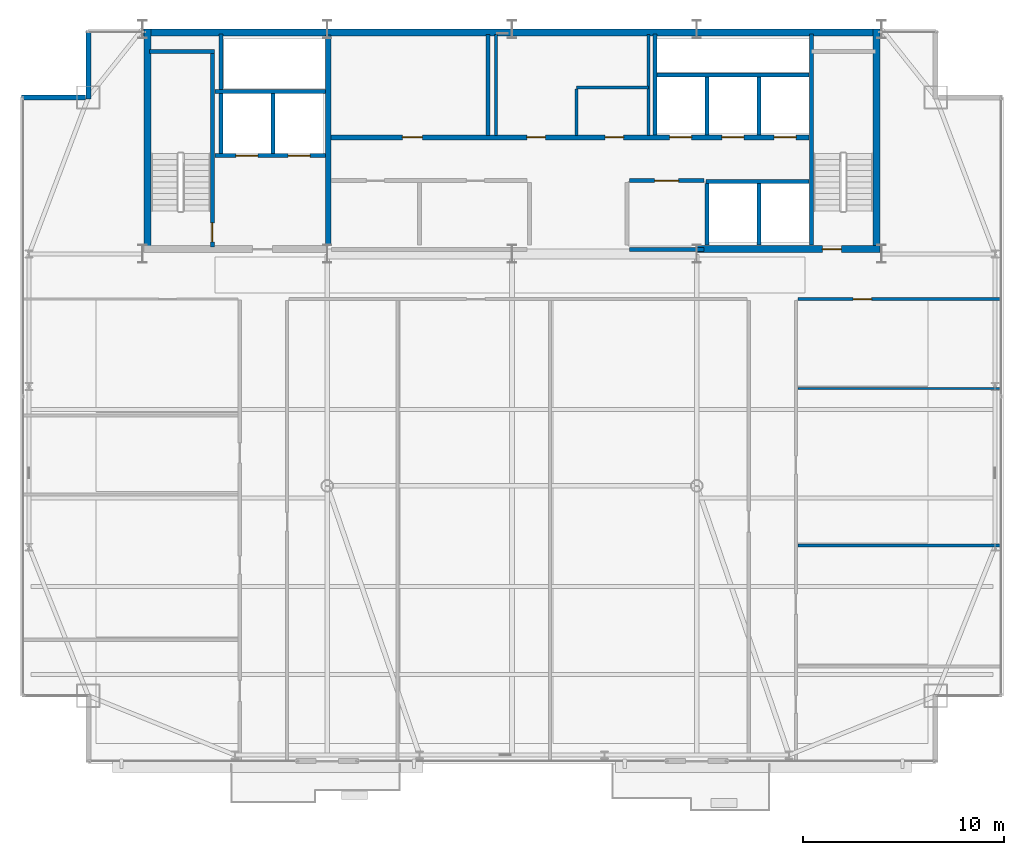
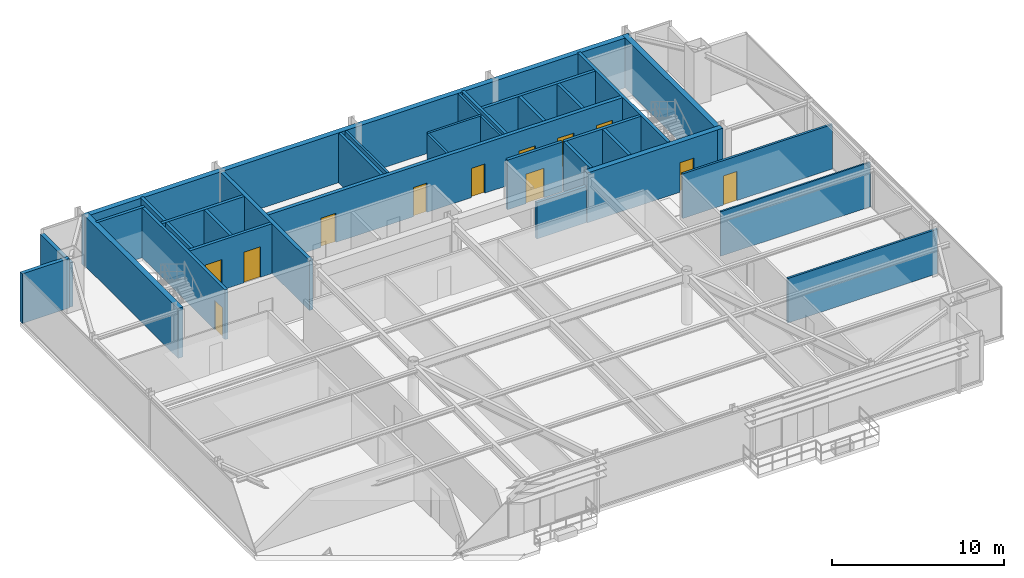
# One storey, part 27 of 30: 32 walls, 12 doors, 12 openings.
"""IFC4 building model written with IfcOpenShell, lengths in metres."""

import ifcopenshell
import ifcopenshell.guid

model = None  # the IFC model being written
_history = None  # IfcOwnerHistory: only IFC2X3 demands one
_inside = {}  # id of a spatial element -> (the spatial element, [elements in it])
_under = {}  # id of a project, library or spatial element -> (it, [spatial elements below it])
_declared = {}  # id of a project -> (the project, [libraries it declares])
_typed = {}  # id of a type object -> (the type object, [elements of that type])
_made_of = {}  # id of a material, layer set ... -> (it, [elements and type objects made of it])


def new_model(schema):
    """Start an empty IFC model of exactly this schema.

    Asked for "IFC4X3", IfcOpenShell would pick the latest addendum, in which some entities
    have other attributes; the version numbers below select the first issue.
    IFC2X3 requires an IfcOwnerHistory on every rooted entity: one is made here for all.
    """
    global model, _history
    if schema == "IFC4X3":
        model = ifcopenshell.file(schema_version=(4, 3, 0, 0))
    else:
        model = ifcopenshell.file(schema=schema)
    _inside.clear()
    _under.clear()
    _declared.clear()
    _typed.clear()
    _made_of.clear()
    _history = None
    if model.schema == "IFC2X3":
        org = make("IfcOrganization", Name="unknown")
        user = make(
            "IfcPersonAndOrganization",
            ThePerson=make("IfcPerson", FamilyName="unknown"),
            TheOrganization=org,
        )
        app = make(
            "IfcApplication",
            ApplicationDeveloper=org,
            Version="unknown",
            ApplicationFullName="unknown",
            ApplicationIdentifier="unknown",
        )
        _history = make(
            "IfcOwnerHistory",
            OwningUser=user,
            OwningApplication=app,
            ChangeAction="ADDED",
            CreationDate=0,
        )
    return model


def make(cls, **values):
    """One entity of the class cls with the attributes given. An attribute that is None is left unset."""
    return model.create_entity(
        cls, **{name: value for name, value in values.items() if value is not None}
    )


def rooted(cls, **values):
    """An entity with a GlobalId (a new one), such as an element, a storey or a relation."""
    return make(cls, GlobalId=ifcopenshell.guid.new(), OwnerHistory=_history, **values)


def si_unit(unit_type, name, prefix=None):
    """IfcSIUnit, for example si_unit("LENGTHUNIT", "METRE", prefix="MILLI")."""
    return make("IfcSIUnit", UnitType=unit_type, Prefix=prefix, Name=name)


def assignment(units):
    """IfcUnitAssignment: the units of a project."""
    return None if units is None else make("IfcUnitAssignment", Units=units)


def point(xyz):
    """IfcCartesianPoint."""
    return None if xyz is None else make("IfcCartesianPoint", Coordinates=xyz)


def direction(xyz):
    """IfcDirection."""
    return None if xyz is None else make("IfcDirection", DirectionRatios=xyz)


def frame(location, z_axis=None, x_axis=None):
    """IfcAxis2Placement3D, a coordinate frame: its origin and axes. An axis left out is left unset."""
    return make(
        "IfcAxis2Placement3D",
        Location=point(location),
        Axis=direction(z_axis),
        RefDirection=direction(x_axis),
    )


def frame_2d(location, x_axis=None):
    """IfcAxis2Placement2D, a coordinate frame in the plane: its origin and x axis."""
    return make(
        "IfcAxis2Placement2D", Location=point(location), RefDirection=direction(x_axis)
    )


def origin():
    """The frame at (0, 0, 0) with its axes left unset."""
    return frame((0.0, 0.0, 0.0))


def place(relative_to, where):
    """IfcLocalPlacement: puts the frame where relative to a parent placement (None: the world)."""
    return make(
        "IfcLocalPlacement", PlacementRelTo=relative_to, RelativePlacement=where
    )


def context(
    kind, dimensions, precision=None, world=None, true_north=None, identifier=None
):
    """IfcGeometricRepresentationContext, for example the 3D "Model" context."""
    return make(
        "IfcGeometricRepresentationContext",
        ContextIdentifier=identifier,
        ContextType=kind,
        CoordinateSpaceDimension=dimensions,
        Precision=precision,
        WorldCoordinateSystem=world,
        TrueNorth=true_north,
    )


def subcontext(parent, identifier, kind, view, scale=None):
    """IfcGeometricRepresentationSubContext, for example "Body" below "Model"."""
    return make(
        "IfcGeometricRepresentationSubContext",
        ContextIdentifier=identifier,
        ContextType=kind,
        ParentContext=parent,
        TargetScale=scale,
        TargetView=view,
    )


def project(units=None, contexts=None):
    """IfcProject with its units and contexts."""
    return rooted(
        "IfcProject",
        Name="project",
        RepresentationContexts=contexts,
        UnitsInContext=assignment(units),
    )


def spatial(cls, under=None, at=None, **own):
    """A site, building, storey or space (cls), placed at a placement, below another one or the project."""
    s = rooted(cls, ObjectPlacement=at, **own)
    if under is not None:
        _under.setdefault(under.id(), (under, []))[1].append(s)
    return s


def profile(cls, at=None, kind="AREA", **sizes):
    """A parametric profile (cls). Its sizes go by their IFC names, for example OverallWidth=200.0."""
    return make(cls, ProfileType=kind, Position=at, **sizes)


def rectangle(**sizes):
    """IfcRectangleProfileDef."""
    return profile("IfcRectangleProfileDef", **sizes)


def extrude(swept, where, along, depth):
    """IfcExtrudedAreaSolid: the profile swept, set in the frame where, extruded along a direction by depth."""
    return make(
        "IfcExtrudedAreaSolid",
        SweptArea=swept,
        Position=where,
        ExtrudedDirection=direction(along),
        Depth=depth,
    )


def shape(context_of_items, identifier, shape_type, items):
    """IfcShapeRepresentation: the items that make up one representation, for example the "Body"."""
    return make(
        "IfcShapeRepresentation",
        ContextOfItems=context_of_items,
        RepresentationIdentifier=identifier,
        RepresentationType=shape_type,
        Items=items,
    )


def source(mapping_origin, context_of_items, identifier, shape_type, items):
    """IfcRepresentationMap: a shape defined once, which mapped items show again and again."""
    return make(
        "IfcRepresentationMap",
        MappingOrigin=mapping_origin,
        MappedRepresentation=shape(context_of_items, identifier, shape_type, items),
    )


def transform(
    local_origin,
    x_axis=None,
    y_axis=None,
    z_axis=None,
    scale=None,
    scale2=None,
    scale3=None,
    uniform=True,
):
    """IfcCartesianTransformationOperator3D, or its non-uniform kind. x_axis, y_axis, z_axis: its Axis1, 2, 3."""
    if uniform:
        return make(
            "IfcCartesianTransformationOperator3D",
            Axis1=direction(x_axis),
            Axis2=direction(y_axis),
            LocalOrigin=point(local_origin),
            Scale=scale,
            Axis3=direction(z_axis),
        )
    return make(
        "IfcCartesianTransformationOperator3DnonUniform",
        Axis1=direction(x_axis),
        Axis2=direction(y_axis),
        LocalOrigin=point(local_origin),
        Scale=scale,
        Axis3=direction(z_axis),
        Scale2=scale2,
        Scale3=scale3,
    )


def mapped(mapping_source, mapping_target):
    """IfcMappedItem: shows the shape of a source again, moved by a transform."""
    return make(
        "IfcMappedItem", MappingSource=mapping_source, MappingTarget=mapping_target
    )


def material(Name=None, Category=None):
    """IfcMaterial."""
    return make("IfcMaterial", Name=Name, Category=Category)


def layer(
    of_material, thickness, ventilated=None, Name=None, Category=None, Priority=None
):
    """IfcMaterialLayer: one layer of a wall or slab, of a material (None: an air gap)."""
    return make(
        "IfcMaterialLayer",
        Material=of_material,
        LayerThickness=thickness,
        IsVentilated=ventilated,
        Name=Name,
        Category=Category,
        Priority=Priority,
    )


def layer_set(layers, Name=None):
    """IfcMaterialLayerSet."""
    return make("IfcMaterialLayerSet", MaterialLayers=layers, LayerSetName=Name)


def made_of(thing, what):
    """Note that an element or type object is made of a material, layer set ...; save() writes the relation."""
    if what is not None:
        _made_of.setdefault(what.id(), (what, []))[1].append(thing)
    return thing


def type_object(cls, material=None, **own):
    """A type object (cls), such as IfcWallType, which elements share."""
    return made_of(rooted(cls, **own), material)


def type_shapes(of_type, sources):
    """Give a type object the sources (RepresentationMaps) that its elements show as mapped items."""
    of_type.RepresentationMaps = sources


def element(
    cls,
    number,
    at=None,
    inside=None,
    cuts=None,
    type_object=None,
    material=None,
    context=None,
    identifier="Body",
    shape_type=None,
    held_by="IfcProductDefinitionShape",
    body=None,
    shapes=None,
    **own,
):
    """One element of the class cls, such as IfcWall. Its Tag is "e" and its number.

    at: its placement. inside: the storey or other place that contains it. cuts: it is an
    opening in that element (IfcRelVoidsElement). A single representation is given by context,
    identifier, shape_type and body (its items); several are given by shapes. held_by: the class
    of the entity that holds the representations. save() writes the other relations.
    """
    e = rooted(cls, Tag="e%d" % number, ObjectPlacement=at, **own)
    if body is not None:
        shapes = [shape(context, identifier, shape_type, body)]
    if shapes is not None:
        e.Representation = make(held_by, Representations=shapes)
    if inside is not None:
        _inside.setdefault(inside.id(), (inside, []))[1].append(e)
    if cuts is not None:
        rooted(
            "IfcRelVoidsElement", RelatingBuildingElement=cuts, RelatedOpeningElement=e
        )
    if type_object is not None:
        _typed.setdefault(type_object.id(), (type_object, []))[1].append(e)
    return made_of(e, material)


def fill(opening, filler):
    """IfcRelFillsElement: the door or window that sits in an opening."""
    return rooted(
        "IfcRelFillsElement",
        RelatingOpeningElement=opening,
        RelatedBuildingElement=filler,
    )


def aggregate(whole, parts):
    """IfcRelAggregates: a whole, such as a stair, and the parts it consists of."""
    return rooted("IfcRelAggregates", RelatingObject=whole, RelatedObjects=parts)


def save(model, path):
    """Write the relations noted so far, then the file.

    IfcRelAggregates (storeys below a building ...), IfcRelContainedInSpatialStructure (elements
    in a storey), IfcRelDefinesByType, IfcRelAssociatesMaterial and IfcRelDeclares: one each for
    every whole, place, type object, material and project.
    """
    for whole, parts in _under.values():
        aggregate(whole, parts)
    for where, things in _inside.values():
        rooted(
            "IfcRelContainedInSpatialStructure",
            RelatedElements=things,
            RelatingStructure=where,
        )
    for kind, things in _typed.values():
        rooted("IfcRelDefinesByType", RelatedObjects=things, RelatingType=kind)
    for what, things in _made_of.values():
        rooted("IfcRelAssociatesMaterial", RelatedObjects=things, RelatingMaterial=what)
    for by, libraries in _declared.values():
        rooted("IfcRelDeclares", RelatingContext=by, RelatedDefinitions=libraries)
    model.write(path)


model = new_model("IFC4")

# Units and contexts
model_context = context("Model", 3, precision=1e-05, world=origin(), true_north=direction((0.0, 1.0)))
body_context = subcontext(model_context, "Body", "Model", "MODEL_VIEW")
ifc_project = project(units=[si_unit("LENGTHUNIT", "METRE"), si_unit("AREAUNIT", "SQUARE_METRE"), si_unit("VOLUMEUNIT", "CUBIC_METRE"), si_unit("PLANEANGLEUNIT", "RADIAN"), si_unit("MASSUNIT", "GRAM", prefix="KILO")], contexts=[model_context])

# Site, building, storey
site_placement = place(None, origin())
site = spatial("IfcSite", under=ifc_project, at=site_placement, CompositionType="ELEMENT")
building_placement = place(site_placement, origin())
building = spatial("IfcBuilding", under=site, at=building_placement, Name="Varnel Quay Broadcast Tower", CompositionType="ELEMENT")
storey_placement = place(building_placement, frame((0.0, 0.0, 207.39990234375)))
storey = spatial("IfcBuildingStorey", under=building, at=storey_placement, Name="L51", CompositionType="ELEMENT", Elevation=207.39990234375)

# Wall, opening, door
ifc_material_1 = material(Name="Concrete CSA A23.3 C50/60", Category="concrete")
ifc_layer_1 = layer(ifc_material_1, 0.199951171875, Name="Concrete CSA A23.3 C50/60")
ifc_layer_set_1 = layer_set([ifc_layer_1], Name="Concrete CSA A23.3 C50/60")
wall_type_1 = type_object("IfcWallType", Name="Wall_CoreShaftShear200", PredefinedType="SHEAR", material=ifc_layer_set_1)
wall_1_placement = place(storey_placement, frame((19.080078125, 35.949951171875, 0.0), z_axis=(0.0, 0.0, 1.0), x_axis=(0.0, 1.0, 0.0)))
wall_1 = element("IfcWall", 1, at=wall_1_placement, inside=storey, type_object=wall_type_1, Name="L51 Stair 1 East Structural Wall", PredefinedType="SHEAR", context=body_context, shape_type="SweptSolid", body=[
    extrude(rectangle(XDim=9.650146484375, YDim=0.199951171875, at=frame_2d((4.8251953125, 0.0))), origin(), (0.0, 0.0, 1.0), 3.550048828125),
])
opening_1_placement = place(wall_1_placement, frame((0.25, 0.0, 0.0)))
opening_1 = element("IfcOpeningElement", 2, at=opening_1_placement, cuts=wall_1, Name="Opening D-L51-S1", PredefinedType="OPENING", context=body_context, shape_type="SweptSolid", body=[
    extrude(rectangle(XDim=0.949951171875, YDim=2.10009765625, at=frame_2d((0.47509765625, 1.050048828125))), frame((0.0, 0.10986328125, 0.0), z_axis=(0.0, -1.0, 0.0), x_axis=(1.0, 0.0, 0.0)), (0.0, 0.0, 1.0), 0.219970703125),
])
ifc_material_2 = material(Name="Insulated Fire-Rated Hollow Steel Door", Category="steel")
door_type_1 = type_object("IfcDoorType", Name="Door_FireStair950", OperationType="NOTDEFINED", PredefinedType="DOOR", material=ifc_material_2)
shared_shape_1 = source(origin(), body_context, "Body", "SweptSolid", [
    extrude(rectangle(XDim=0.949951171875, YDim=2.10009765625, at=frame_2d((0.47509765625, 1.050048828125))), frame((0.0, 0.02490234375, 0.0), z_axis=(0.0, -1.0, 0.0), x_axis=(1.0, 0.0, 0.0)), (0.0, 0.0, 1.0), 0.050048828125),
])
type_shapes(door_type_1, [shared_shape_1])
door_1_placement = place(opening_1_placement, origin())
door_1 = element("IfcDoor", 3, at=door_1_placement, inside=storey, type_object=door_type_1, Name="L51 Stair 1 Fire Door", OperationType="SINGLE_SWING_RIGHT", OverallHeight=2.10009765625, OverallWidth=0.949951171875, PredefinedType="DOOR", context=body_context, shape_type="MappedRepresentation", body=[
    mapped(shared_shape_1, transform((0.0, 0.0, 0.0), x_axis=(1.0, 0.0, 0.0), y_axis=(0.0, 1.0, 0.0), z_axis=(0.0, 0.0, 1.0), scale=1.0)),
])
fill(opening_1, door_1)

# Wall
wall_2_placement = place(storey_placement, frame((15.949951171875, 45.679931640625, 0.0), z_axis=(0.0, 0.0, 1.0), x_axis=(1.0, 0.0, 0.0)))
element("IfcWall", 4, at=wall_2_placement, inside=storey, type_object=wall_type_1, Name="L51 Stair 1 North Structural Wall", PredefinedType="SHEAR", context=body_context, shape_type="SweptSolid", body=[
    extrude(rectangle(XDim=3.22998046875, YDim=0.199951171875, at=frame_2d((1.614990234375, 0.0))), origin(), (0.0, 0.0, 1.0), 3.550048828125),
])

# Wall, openings, doors
wall_3_placement = place(storey_placement, frame((19.199951171875, 40.5, 0.0), z_axis=(0.0, 0.0, 1.0), x_axis=(1.0, 0.0, 0.0)))
wall_3 = element("IfcWall", 5, at=wall_3_placement, inside=storey, type_object=wall_type_1, Name="L51 Firefighter Lift Shaft Front Wall", PredefinedType="SHEAR", context=body_context, shape_type="SweptSolid", body=[
    extrude(rectangle(XDim=5.52001953125, YDim=0.199951171875, at=frame_2d((2.760009765625, 0.0))), origin(), (0.0, 0.0, 1.0), 3.550048828125),
])
opening_2_placement = place(wall_3_placement, frame((1.050048828125, 0.0, 0.0)))
opening_2 = element("IfcOpeningElement", 6, at=opening_2_placement, cuts=wall_3, Name="Opening LD-L51-FE1", PredefinedType="OPENING", context=body_context, shape_type="SweptSolid", body=[
    extrude(rectangle(XDim=1.10009765625, YDim=2.179931640625, at=frame_2d((0.550048828125, 1.08984375))), frame((0.0, 0.10986328125, 0.0), z_axis=(0.0, -1.0, 0.0), x_axis=(1.0, 0.0, 0.0)), (0.0, 0.0, 1.0), 0.219970703125),
])
opening_3_placement = place(wall_3_placement, frame((3.64990234375, 0.0, 0.0)))
opening_3 = element("IfcOpeningElement", 7, at=opening_3_placement, cuts=wall_3, Name="Opening LD-L51-FE2", PredefinedType="OPENING", context=body_context, shape_type="SweptSolid", body=[
    extrude(rectangle(XDim=1.10009765625, YDim=2.179931640625, at=frame_2d((0.550048828125, 1.08984375))), frame((0.0, 0.10986328125, 0.0), z_axis=(0.0, -1.0, 0.0), x_axis=(1.0, 0.0, 0.0)), (0.0, 0.0, 1.0), 0.219970703125),
])
ifc_material_3 = material(Name="Brushed Bronze-Stainless Lift Car & Sliding Doors", Category="steel")
door_type_2 = type_object("IfcDoorType", Name="Door_LiftLanding1100", OperationType="SLIDING_TO_LEFT", PredefinedType="DOOR", material=ifc_material_3)
shared_shape_2 = source(origin(), body_context, "Body", "SweptSolid", [
    extrude(rectangle(XDim=1.10009765625, YDim=2.179931640625, at=frame_2d((0.550048828125, 1.08984375))), frame((0.0, 0.02490234375, 0.0), z_axis=(0.0, -1.0, 0.0), x_axis=(1.0, 0.0, 0.0)), (0.0, 0.0, 1.0), 0.050048828125),
])
type_shapes(door_type_2, [shared_shape_2])
door_2_placement = place(opening_2_placement, frame((1.10009765625, 0.0, 0.0), z_axis=(0.0, 0.0, 1.0), x_axis=(-1.0, 0.0, 0.0)))
door_2 = element("IfcDoor", 8, at=door_2_placement, inside=storey, type_object=door_type_2, Name="L51 Firefighter Lift FE-01 Landing Door", OperationType="SLIDING_TO_LEFT", OverallHeight=2.179931640625, OverallWidth=1.10009765625, PredefinedType="DOOR", context=body_context, shape_type="MappedRepresentation", body=[
    mapped(shared_shape_2, transform((0.0, 0.0, 0.0), x_axis=(1.0, 0.0, 0.0), y_axis=(0.0, 1.0, 0.0), z_axis=(0.0, 0.0, 1.0), scale=1.0)),
])
fill(opening_2, door_2)
door_3_placement = place(opening_3_placement, frame((1.10009765625, 0.0, 0.0), z_axis=(0.0, 0.0, 1.0), x_axis=(-1.0, 0.0, 0.0)))
door_3 = element("IfcDoor", 9, at=door_3_placement, inside=storey, type_object=door_type_2, Name="L51 Firefighter Lift FE-02 Landing Door", OperationType="SLIDING_TO_RIGHT", OverallHeight=2.179931640625, OverallWidth=1.10009765625, PredefinedType="DOOR", context=body_context, shape_type="MappedRepresentation", body=[
    mapped(shared_shape_2, transform((0.0, 0.0, 0.0), x_axis=(1.0, 0.0, 0.0), y_axis=(0.0, 1.0, 0.0), z_axis=(0.0, 0.0, 1.0), scale=1.0)),
])
fill(opening_3, door_3)

# Walls
wall_4_placement = place(storey_placement, frame((19.199951171875, 43.699951171875, 0.0), z_axis=(0.0, 0.0, 1.0), x_axis=(1.0, 0.0, 0.0)))
element("IfcWall", 10, at=wall_4_placement, inside=storey, type_object=wall_type_1, Name="L51 Firefighter Lift Shaft Rear Wall", PredefinedType="SHEAR", context=body_context, shape_type="SweptSolid", body=[
    extrude(rectangle(XDim=5.52001953125, YDim=0.199951171875, at=frame_2d((2.760009765625, 0.0))), origin(), (0.0, 0.0, 1.0), 3.550048828125),
])
wall_5_placement = place(storey_placement, frame((22.10009765625, 40.60009765625, 0.0), z_axis=(0.0, 0.0, 1.0), x_axis=(0.0, 1.0, 0.0)))
element("IfcWall", 11, at=wall_5_placement, inside=storey, type_object=wall_type_1, Name="L51 Firefighter Lift Shaft Divider", PredefinedType="SHEAR", context=body_context, shape_type="SweptSolid", body=[
    extrude(rectangle(XDim=3.0, YDim=0.199951171875, at=frame_2d((1.5, 0.0))), origin(), (0.0, 0.0, 1.0), 3.550048828125),
])
wall_6_placement = place(storey_placement, frame((19.5, 40.60009765625, 0.0), z_axis=(0.0, 0.0, 1.0), x_axis=(0.0, 1.0, 0.0)))
element("IfcWall", 12, at=wall_6_placement, inside=storey, type_object=wall_type_1, Name="L51 Firefighter Lift Shaft West Wall", PredefinedType="SHEAR", context=body_context, shape_type="SweptSolid", body=[
    extrude(rectangle(XDim=5.949951171875, YDim=0.199951171875, at=frame_2d((2.97509765625, 0.0))), origin(), (0.0, 0.0, 1.0), 3.550048828125),
])
wall_7_placement = place(storey_placement, frame((48.919921875, 36.050048828125, 0.0), z_axis=(0.0, 0.0, 1.0), x_axis=(0.0, 1.0, 0.0)))
element("IfcWall", 13, at=wall_7_placement, inside=storey, type_object=wall_type_1, Name="L51 Stair 2 West Structural Wall", PredefinedType="SHEAR", context=body_context, shape_type="SweptSolid", body=[
    extrude(rectangle(XDim=10.5, YDim=0.199951171875, at=frame_2d((5.25, 0.0))), origin(), (0.0, 0.0, 1.0), 3.550048828125),
])
wall_8_placement = place(storey_placement, frame((41.219970703125, 44.5, 0.0), z_axis=(0.0, 0.0, 1.0), x_axis=(1.0, 0.0, 0.0)))
element("IfcWall", 14, at=wall_8_placement, inside=storey, type_object=wall_type_1, Name="L51 High-Rise Lift Shaft Rear Wall", PredefinedType="SHEAR", context=body_context, shape_type="SweptSolid", body=[
    extrude(rectangle(XDim=7.580078125, YDim=0.199951171875, at=frame_2d((3.7900390625, 0.0))), origin(), (0.0, 0.0, 1.0), 3.550048828125),
])
wall_9_placement = place(storey_placement, frame((41.1201171875, 41.530029296875, 0.0), z_axis=(0.0, 0.0, 1.0), x_axis=(0.0, 1.0, 0.0)))
element("IfcWall", 15, at=wall_9_placement, inside=storey, type_object=wall_type_1, Name="L51 High-Rise Lift Shaft Divider 1", PredefinedType="SHEAR", context=body_context, shape_type="SweptSolid", body=[
    extrude(rectangle(XDim=5.02001953125, YDim=0.199951171875, at=frame_2d((2.510009765625, 0.0))), origin(), (0.0, 0.0, 1.0), 3.550048828125),
])
for number, where, z_axis, x_axis, name in (
    (16, (43.699951171875, 41.530029296875, 0.0), (0.0, 0.0, 1.0), (0.0, 1.0, 0.0), "L51 High-Rise Lift Shaft Divider 2"),
    (17, (46.300048828125, 41.530029296875, 0.0), (0.0, 0.0, 1.0), (0.0, 1.0, 0.0), "L51 High-Rise Lift Shaft Divider 3"),
):
    element("IfcWall", number, at=place(storey_placement, frame(where, z_axis=z_axis, x_axis=x_axis)), inside=storey, type_object=wall_type_1, Name=name, PredefinedType="SHEAR", context=body_context, shape_type="SweptSolid", body=[
        extrude(rectangle(XDim=2.869873046875, YDim=0.199951171875, at=frame_2d((1.43505859375, 0.0))), origin(), (0.0, 0.0, 1.0), 3.550048828125),
    ])
for number, where, z_axis, x_axis, name in (
    (18, (43.699951171875, 36.050048828125, 0.0), (0.0, 0.0, 1.0), (0.0, 1.0, 0.0), "L51 Express Lift Shaft West Wall"),
    (19, (46.300048828125, 36.050048828125, 0.0), (0.0, 0.0, 1.0), (0.0, 1.0, 0.0), "L51 Express Lift Shaft Divider"),
):
    element("IfcWall", number, at=place(storey_placement, frame(where, z_axis=z_axis, x_axis=x_axis)), inside=storey, type_object=wall_type_1, Name=name, PredefinedType="SHEAR", context=body_context, shape_type="SweptSolid", body=[
        extrude(rectangle(XDim=3.050048828125, YDim=0.199951171875, at=frame_2d((1.52490234375, 0.0))), origin(), (0.0, 0.0, 1.0), 3.550048828125),
    ])
wall_10_placement = place(storey_placement, frame((43.64990234375, 39.199951171875, 0.0), z_axis=(0.0, 0.0, 1.0), x_axis=(1.0, 0.0, 0.0)))
element("IfcWall", 20, at=wall_10_placement, inside=storey, type_object=wall_type_1, Name="L51 Express Lift Shaft North Front Wall", PredefinedType="SHEAR", context=body_context, shape_type="SweptSolid", body=[
    extrude(rectangle(XDim=5.150146484375, YDim=0.199951171875, at=frame_2d((2.5751953125, 0.0))), origin(), (0.0, 0.0, 1.0), 3.550048828125),
])
ifc_layer_2 = layer(ifc_material_1, 0.25, Name="Concrete CSA A23.3 C50/60")
ifc_layer_set_2 = layer_set([ifc_layer_2], Name="Concrete CSA A23.3 C50/60")
wall_type_2 = type_object("IfcWallType", Name="Wall_CoreShaftShear250", PredefinedType="SHEAR", material=ifc_layer_set_2)
wall_11_placement = place(storey_placement, frame((24.85009765625, 36.050048828125, 0.0), z_axis=(0.0, 0.0, 1.0), x_axis=(0.0, 1.0, 0.0)))
element("IfcWall", 21, at=wall_11_placement, inside=storey, type_object=wall_type_2, Name="L51 Firefighting Lobby East Structural Wall", PredefinedType="SHEAR", context=body_context, shape_type="SweptSolid", body=[
    extrude(rectangle(XDim=10.449951171875, YDim=0.25, at=frame_2d((5.22509765625, 0.0))), origin(), (0.0, 0.0, 1.0), 3.550048828125),
])

# Wall, openings, doors
wall_12_placement = place(storey_placement, frame((24.97998046875, 41.39990234375, 0.0), z_axis=(0.0, 0.0, 1.0), x_axis=(1.0, 0.0, 0.0)))
wall_12 = element("IfcWall", 22, at=wall_12_placement, inside=storey, type_object=wall_type_2, Name="L51 North Lift Bank & Reclaimed Suite Wall", PredefinedType="SHEAR", context=body_context, shape_type="SweptSolid", body=[
    extrude(rectangle(XDim=23.820068359375, YDim=0.25, at=frame_2d((11.91015625, 0.0))), origin(), (0.0, 0.0, 1.0), 3.550048828125),
])
opening_4_placement = place(wall_12_placement, frame((16.8701171875, 0.0, 0.0)))
opening_4 = element("IfcOpeningElement", 23, at=opening_4_placement, cuts=wall_12, Name="Opening LD-L51-PH-01", PredefinedType="OPENING", context=body_context, shape_type="SweptSolid", body=[
    extrude(rectangle(XDim=1.10009765625, YDim=2.179931640625, at=frame_2d((0.550048828125, 1.08984375))), frame((0.0, 0.135009765625, 0.0), z_axis=(0.0, -1.0, 0.0), x_axis=(1.0, 0.0, 0.0)), (0.0, 0.0, 1.0), 0.27001953125),
])
opening_5_placement = place(wall_12_placement, frame((19.469970703125, 0.0, 0.0)))
opening_5 = element("IfcOpeningElement", 24, at=opening_5_placement, cuts=wall_12, Name="Opening LD-L51-PH-02", PredefinedType="OPENING", context=body_context, shape_type="SweptSolid", body=[
    extrude(rectangle(XDim=1.10009765625, YDim=2.179931640625, at=frame_2d((0.550048828125, 1.08984375))), frame((0.0, 0.135009765625, 0.0), z_axis=(0.0, -1.0, 0.0), x_axis=(1.0, 0.0, 0.0)), (0.0, 0.0, 1.0), 0.27001953125),
])
opening_6_placement = place(wall_12_placement, frame((22.070068359375, 0.0, 0.0)))
opening_6 = element("IfcOpeningElement", 25, at=opening_6_placement, cuts=wall_12, Name="Opening LD-L51-PH-03", PredefinedType="OPENING", context=body_context, shape_type="SweptSolid", body=[
    extrude(rectangle(XDim=1.10009765625, YDim=2.179931640625, at=frame_2d((0.550048828125, 1.08984375))), frame((0.0, 0.135009765625, 0.0), z_axis=(0.0, -1.0, 0.0), x_axis=(1.0, 0.0, 0.0)), (0.0, 0.0, 1.0), 0.27001953125),
])
opening_7_placement = place(wall_12_placement, frame((3.56005859375, 0.0, 0.0)))
opening_7 = element("IfcOpeningElement", 26, at=opening_7_placement, cuts=wall_12, Name="Opening D-L51-RECA1", PredefinedType="OPENING", context=body_context, shape_type="SweptSolid", body=[
    extrude(rectangle(XDim=1.0, YDim=2.080078125, at=frame_2d((0.5, 1.0400390625))), frame((0.0, 0.135009765625, 0.0), z_axis=(0.0, -1.0, 0.0), x_axis=(1.0, 0.0, 0.0)), (0.0, 0.0, 1.0), 0.27001953125),
])
opening_8_placement = place(wall_12_placement, frame((9.760009765625, 0.0, 0.0)))
opening_8 = element("IfcOpeningElement", 27, at=opening_8_placement, cuts=wall_12, Name="Opening D-L51-RECB1", PredefinedType="OPENING", context=body_context, shape_type="SweptSolid", body=[
    extrude(rectangle(XDim=0.919921875, YDim=2.080078125, at=frame_2d((0.4599609375, 1.0400390625))), frame((0.0, 0.135009765625, 0.0), z_axis=(0.0, -1.0, 0.0), x_axis=(1.0, 0.0, 0.0)), (0.0, 0.0, 1.0), 0.27001953125),
])
opening_9_placement = place(wall_12_placement, frame((13.659912109375, 0.0, 0.0)))
opening_9 = element("IfcOpeningElement", 28, at=opening_9_placement, cuts=wall_12, Name="Opening D-L51-RECB2", PredefinedType="OPENING", context=body_context, shape_type="SweptSolid", body=[
    extrude(rectangle(XDim=0.919921875, YDim=2.080078125, at=frame_2d((0.4599609375, 1.0400390625))), frame((0.0, 0.135009765625, 0.0), z_axis=(0.0, -1.0, 0.0), x_axis=(1.0, 0.0, 0.0)), (0.0, 0.0, 1.0), 0.27001953125),
])
door_4_placement = place(opening_4_placement, frame((1.10009765625, 0.0, 0.0), z_axis=(0.0, 0.0, 1.0), x_axis=(-1.0, 0.0, 0.0)))
door_4 = element("IfcDoor", 29, at=door_4_placement, inside=storey, type_object=door_type_2, Name="L51 Lift PH-01 Landing Door", OperationType="SLIDING_TO_LEFT", OverallHeight=2.179931640625, OverallWidth=1.10009765625, PredefinedType="DOOR", context=body_context, shape_type="MappedRepresentation", body=[
    mapped(shared_shape_2, transform((0.0, 0.0, 0.0), x_axis=(1.0, 0.0, 0.0), y_axis=(0.0, 1.0, 0.0), z_axis=(0.0, 0.0, 1.0), scale=1.0)),
])
fill(opening_4, door_4)
door_5_placement = place(opening_5_placement, frame((1.10009765625, 0.0, 0.0), z_axis=(0.0, 0.0, 1.0), x_axis=(-1.0, 0.0, 0.0)))
door_5 = element("IfcDoor", 30, at=door_5_placement, inside=storey, type_object=door_type_2, Name="L51 Lift PH-02 Landing Door", OperationType="SLIDING_TO_LEFT", OverallHeight=2.179931640625, OverallWidth=1.10009765625, PredefinedType="DOOR", context=body_context, shape_type="MappedRepresentation", body=[
    mapped(shared_shape_2, transform((0.0, 0.0, 0.0), x_axis=(1.0, 0.0, 0.0), y_axis=(0.0, 1.0, 0.0), z_axis=(0.0, 0.0, 1.0), scale=1.0)),
])
fill(opening_5, door_5)
door_6_placement = place(opening_6_placement, frame((1.10009765625, 0.0, 0.0), z_axis=(0.0, 0.0, 1.0), x_axis=(-1.0, 0.0, 0.0)))
door_6 = element("IfcDoor", 31, at=door_6_placement, inside=storey, type_object=door_type_2, Name="L51 Lift PH-03 Landing Door", OperationType="SLIDING_TO_LEFT", OverallHeight=2.179931640625, OverallWidth=1.10009765625, PredefinedType="DOOR", context=body_context, shape_type="MappedRepresentation", body=[
    mapped(shared_shape_2, transform((0.0, 0.0, 0.0), x_axis=(1.0, 0.0, 0.0), y_axis=(0.0, 1.0, 0.0), z_axis=(0.0, 0.0, 1.0), scale=1.0)),
])
fill(opening_6, door_6)
door_type_3 = type_object("IfcDoorType", Name="Door_FireLobby1000", OperationType="NOTDEFINED", PredefinedType="DOOR", material=ifc_material_2)
shared_shape_3 = source(origin(), body_context, "Body", "SweptSolid", [
    extrude(rectangle(XDim=1.0, YDim=2.080078125, at=frame_2d((0.5, 1.0400390625))), frame((0.0, 0.02490234375, 0.0), z_axis=(0.0, -1.0, 0.0), x_axis=(1.0, 0.0, 0.0)), (0.0, 0.0, 1.0), 0.050048828125),
])
type_shapes(door_type_3, [shared_shape_3])
door_7_placement = place(opening_7_placement, origin())
door_7 = element("IfcDoor", 32, at=door_7_placement, inside=storey, type_object=door_type_3, Name="L51 Broadcast Ingest Server Hall Door", OperationType="SINGLE_SWING_LEFT", OverallHeight=2.080078125, OverallWidth=1.0, PredefinedType="DOOR", context=body_context, shape_type="MappedRepresentation", body=[
    mapped(shared_shape_3, transform((0.0, 0.0, 0.0), x_axis=(1.0, 0.0, 0.0), y_axis=(0.0, 1.0, 0.0), z_axis=(0.0, 0.0, 1.0), scale=1.0)),
])
fill(opening_7, door_7)
ifc_material_4 = material(Name="Solid-Core Fire-Rated Acoustic Oak Veneer Door", Category="wood")
door_type_4 = type_object("IfcDoorType", Name="Door_Office920", OperationType="NOTDEFINED", PredefinedType="DOOR", material=ifc_material_4)
shared_shape_4 = source(origin(), body_context, "Body", "SweptSolid", [
    extrude(rectangle(XDim=0.919921875, YDim=2.080078125, at=frame_2d((0.4599609375, 1.0400390625))), frame((0.0, 0.02490234375, 0.0), z_axis=(0.0, -1.0, 0.0), x_axis=(1.0, 0.0, 0.0)), (0.0, 0.0, 1.0), 0.050048828125),
])
type_shapes(door_type_4, [shared_shape_4])
door_8_placement = place(opening_8_placement, origin())
door_8 = element("IfcDoor", 33, at=door_8_placement, inside=storey, type_object=door_type_4, Name="L51 Acoustic Rack & Patch Suite Door", OperationType="SINGLE_SWING_RIGHT", OverallHeight=2.080078125, OverallWidth=0.919921875, PredefinedType="DOOR", context=body_context, shape_type="MappedRepresentation", body=[
    mapped(shared_shape_4, transform((0.0, 0.0, 0.0), x_axis=(1.0, 0.0, 0.0), y_axis=(0.0, 1.0, 0.0), z_axis=(0.0, 0.0, 1.0), scale=1.0)),
])
fill(opening_8, door_8)
door_9_placement = place(opening_9_placement, origin())
door_9 = element("IfcDoor", 34, at=door_9_placement, inside=storey, type_object=door_type_4, Name="L51 Production Tea Pantry Door", OperationType="SINGLE_SWING_LEFT", OverallHeight=2.080078125, OverallWidth=0.919921875, PredefinedType="DOOR", context=body_context, shape_type="MappedRepresentation", body=[
    mapped(shared_shape_4, transform((0.0, 0.0, 0.0), x_axis=(1.0, 0.0, 0.0), y_axis=(0.0, 1.0, 0.0), z_axis=(0.0, 0.0, 1.0), scale=1.0)),
])
fill(opening_9, door_9)

# Walls
ifc_layer_3 = layer(ifc_material_1, 0.35009765625, Name="Concrete CSA A23.3 C50/60")
ifc_layer_set_3 = layer_set([ifc_layer_3], Name="Concrete CSA A23.3 C50/60")
wall_type_3 = type_object("IfcWallType", Name="Wall_CoreShearExt350", PredefinedType="SHEAR", material=ifc_layer_set_3)
wall_13_placement = place(storey_placement, frame((15.60009765625, 46.625, 0.0), z_axis=(0.0, 0.0, 1.0), x_axis=(1.0, 0.0, 0.0)))
element("IfcWall", 35, at=wall_13_placement, inside=storey, type_object=wall_type_3, Name="L51 North Core Shear Wall", PredefinedType="SHEAR", context=body_context, shape_type="SweptSolid", body=[
    extrude(rectangle(XDim=36.7998046875, YDim=0.35009765625, at=frame_2d((18.39990234375, 0.0))), origin(), (0.0, 0.0, 1.0), 3.550048828125),
])
ifc_layer_4 = layer(ifc_material_1, 0.35009765625, Name="Concrete CSA A23.3 C50/60")
ifc_layer_set_4 = layer_set([ifc_layer_4], Name="Concrete CSA A23.3 C50/60")
wall_type_4 = type_object("IfcWallType", Name="Wall_CoreShearInt350", PredefinedType="SHEAR", material=ifc_layer_set_4)
for number, where, z_axis, x_axis, name in (
    (36, (15.844970703125, 35.669921875, 0.0), (0.0, 0.0, 1.0), (0.0, 1.0, 0.0), "L51 West Core Shear Wall"),
    (37, (52.155029296875, 35.669921875, 0.0), (0.0, 0.0, 1.0), (0.0, 1.0, 0.0), "L51 East Core Shear Wall"),
):
    element("IfcWall", number, at=place(storey_placement, frame(where, z_axis=z_axis, x_axis=x_axis)), inside=storey, type_object=wall_type_4, Name=name, PredefinedType="SHEAR", context=body_context, shape_type="SweptSolid", body=[
        extrude(rectangle(XDim=11.130126953125, YDim=0.35009765625, at=frame_2d((5.56494140625, 0.0))), origin(), (0.0, 0.0, 1.0), 3.550048828125),
    ])

# Wall, opening, door
wall_14_placement = place(storey_placement, frame((43.199951171875, 35.844970703125, 0.0), z_axis=(0.0, 0.0, 1.0), x_axis=(1.0, 0.0, 0.0)))
wall_14 = element("IfcWall", 38, at=wall_14_placement, inside=storey, type_object=wall_type_4, Name="L51 South-East Core Shear Wall", PredefinedType="SHEAR", context=body_context, shape_type="SweptSolid", body=[
    extrude(rectangle(XDim=9.130126953125, YDim=0.35009765625, at=frame_2d((4.56494140625, 0.0))), origin(), (0.0, 0.0, 1.0), 3.550048828125),
])
opening_10_placement = place(wall_14_placement, frame((6.25, 0.0, 0.0)))
opening_10 = element("IfcOpeningElement", 39, at=opening_10_placement, cuts=wall_14, Name="Opening D-L51-S2", PredefinedType="OPENING", context=body_context, shape_type="SweptSolid", body=[
    extrude(rectangle(XDim=0.949951171875, YDim=2.10009765625, at=frame_2d((0.47509765625, 1.050048828125))), frame((0.0, 0.18505859375, 0.0), z_axis=(0.0, -1.0, 0.0), x_axis=(1.0, 0.0, 0.0)), (0.0, 0.0, 1.0), 0.3701171875),
])
door_10_placement = place(opening_10_placement, origin())
door_10 = element("IfcDoor", 40, at=door_10_placement, inside=storey, type_object=door_type_1, Name="L51 Stair 2 Fire Door", OperationType="SINGLE_SWING_RIGHT", OverallHeight=2.10009765625, OverallWidth=0.949951171875, PredefinedType="DOOR", context=body_context, shape_type="MappedRepresentation", body=[
    mapped(shared_shape_1, transform((0.0, 0.0, 0.0), x_axis=(1.0, 0.0, 0.0), y_axis=(0.0, 1.0, 0.0), z_axis=(0.0, 0.0, 1.0), scale=1.0)),
])
fill(opening_10, door_10)

# Walls
ifc_material_5 = material(Name="Precast Architectural Concrete C40/50", Category="concrete")
ifc_layer_5 = layer(ifc_material_5, 0.25, Name="Precast Architectural Concrete C40/50")
ifc_layer_set_5 = layer_set([ifc_layer_5], Name="Precast Architectural Concrete C40/50")
wall_type_5 = type_object("IfcWallType", Name="Wall_ExtTerrace250", PredefinedType="SOLIDWALL", material=ifc_layer_set_5)
wall_15_placement = place(storey_placement, frame((9.580078125, 43.39990234375, 0.0), z_axis=(0.0, 0.0, 1.0), x_axis=(1.0, 0.0, 0.0)))
element("IfcWall", 41, at=wall_15_placement, inside=storey, type_object=wall_type_5, Name="L51 Mega-Column Notch Cladding Wall NNW1", PredefinedType="SOLIDWALL", context=body_context, shape_type="SweptSolid", body=[
    extrude(rectangle(XDim=3.18994140625, YDim=0.25, at=frame_2d((1.594970703125, 0.0))), origin(), (0.0, 0.0, 1.0), 3.530029296875),
])
wall_16_placement = place(storey_placement, frame((12.89990234375, 43.320068359375, 0.0), z_axis=(0.0, 0.0, 1.0), x_axis=(0.0, 1.0, 0.0)))
element("IfcWall", 42, at=wall_16_placement, inside=storey, type_object=wall_type_5, Name="L51 Mega-Column Notch Cladding Wall NNW2", PredefinedType="SOLIDWALL", context=body_context, shape_type="SweptSolid", body=[
    extrude(rectangle(XDim=3.39990234375, YDim=0.25, at=frame_2d((1.699951171875, 0.0))), origin(), (0.0, 0.0, 1.0), 3.171142578125),
])
ifc_material_6 = material(Name="Concrete Blockwork Fire Enclosure C40/50", Category="masonry")
ifc_layer_6 = layer(ifc_material_6, 0.199951171875, Name="Concrete Blockwork Fire Enclosure C40/50")
ifc_layer_set_6 = layer_set([ifc_layer_6], Name="Concrete Blockwork Fire Enclosure C40/50")
wall_type_6 = type_object("IfcWallType", Name="Wall_FireShaft200", PredefinedType="SOLIDWALL", material=ifc_layer_set_6)
wall_17_placement = place(storey_placement, frame((39.85009765625, 35.824951171875, 0.0), z_axis=(0.0, 0.0, 1.0), x_axis=(1.0, 0.0, 0.0)))
element("IfcWall", 43, at=wall_17_placement, inside=storey, type_object=wall_type_6, Name="L51 Electrical Sub-Distribution Closet Partition 5", PredefinedType="SOLIDWALL", context=body_context, shape_type="SweptSolid", body=[
    extrude(rectangle(XDim=3.699951171875, YDim=0.199951171875, at=frame_2d((1.85009765625, 0.0))), origin(), (0.0, 0.0, 1.0), 2.5751953125),
])

# Wall, opening, door
wall_18_placement = place(storey_placement, frame((39.85009765625, 39.25, 0.0), z_axis=(0.0, 0.0, 1.0), x_axis=(1.0, 0.0, 0.0)))
wall_18 = element("IfcWall", 44, at=wall_18_placement, inside=storey, type_object=wall_type_6, Name="L51 Electrical Sub-Distribution Closet Partition 6", PredefinedType="SOLIDWALL", context=body_context, shape_type="SweptSolid", body=[
    extrude(rectangle(XDim=3.699951171875, YDim=0.199951171875, at=frame_2d((1.85009765625, 0.0))), origin(), (0.0, 0.0, 1.0), 3.530029296875),
])
opening_11_placement = place(wall_18_placement, frame((1.25, 0.0, 0.0)))
opening_11 = element("IfcOpeningElement", 45, at=opening_11_placement, cuts=wall_18, Name="Opening D-L51-03", PredefinedType="OPENING", context=body_context, shape_type="SweptSolid", body=[
    extrude(rectangle(XDim=1.199951171875, YDim=2.10009765625, at=frame_2d((0.60009765625, 1.050048828125))), frame((0.0, 0.10986328125, 0.0), z_axis=(0.0, -1.0, 0.0), x_axis=(1.0, 0.0, 0.0)), (0.0, 0.0, 1.0), 0.219970703125),
])
door_type_5 = type_object("IfcDoorType", Name="Door_Plant1200", OperationType="NOTDEFINED", PredefinedType="DOOR", material=ifc_material_2)
shared_shape_5 = source(origin(), body_context, "Body", "SweptSolid", [
    extrude(rectangle(XDim=1.199951171875, YDim=2.10009765625, at=frame_2d((0.60009765625, 1.050048828125))), frame((0.0, 0.02490234375, 0.0), z_axis=(0.0, -1.0, 0.0), x_axis=(1.0, 0.0, 0.0)), (0.0, 0.0, 1.0), 0.050048828125),
])
type_shapes(door_type_5, [shared_shape_5])
door_11_placement = place(opening_11_placement, origin())
door_11 = element("IfcDoor", 46, at=door_11_placement, inside=storey, type_object=door_type_5, Name="L51 Electrical Sub-Distribution Closet Door D-L51-03", OperationType="SINGLE_SWING_RIGHT", OverallHeight=2.10009765625, OverallWidth=1.199951171875, PredefinedType="DOOR", context=body_context, shape_type="MappedRepresentation", body=[
    mapped(shared_shape_5, transform((0.0, 0.0, 0.0), x_axis=(1.0, 0.0, 0.0), y_axis=(0.0, 1.0, 0.0), z_axis=(0.0, 0.0, 1.0), scale=1.0)),
])
fill(opening_11, door_11)

# Walls
wall_19_placement = place(storey_placement, frame((32.800048828125, 41.5, 0.0), z_axis=(0.0, 0.0, 1.0), x_axis=(0.0, 1.0, 0.0)))
element("IfcWall", 47, at=wall_19_placement, inside=storey, type_object=wall_type_6, Name="L51 Broadcast Ingest Server Hall Partition 23", PredefinedType="SOLIDWALL", context=body_context, shape_type="SweptSolid", body=[
    extrude(rectangle(XDim=5.02001953125, YDim=0.199951171875, at=frame_2d((2.510009765625, 0.0))), origin(), (0.0, 0.0, 1.0), 3.530029296875),
])
ifc_material_7 = material(Name="Steel-Stud Fire-Rated Acoustic Gypsum Partition Assembly", Category="steel")
ifc_layer_7 = layer(ifc_material_7, 0.10498046875, Name="Steel-Stud Fire-Rated Acoustic Gypsum Partition Assembly")
ifc_layer_set_7 = layer_set([ifc_layer_7], Name="Steel-Stud Fire-Rated Acoustic Gypsum Partition Assembly")
wall_type_7 = type_object("IfcWallType", Name="Wall_Partition105", PredefinedType="PARTITIONING", material=ifc_layer_set_7)
wall_20_placement = place(storey_placement, frame((48.239990234375, 28.89990234375, 0.0), z_axis=(0.0, 0.0, 1.0), x_axis=(1.0, 0.0, 0.0)))
element("IfcWall", 48, at=wall_20_placement, inside=storey, type_object=wall_type_7, Name="L51 Camera Locker Store 10 Partition 21", PredefinedType="PARTITIONING", context=body_context, shape_type="SweptSolid", body=[
    extrude(rectangle(XDim=10.080078125, YDim=0.10498046875, at=frame_2d((5.0400390625, 0.0))), origin(), (0.0, 0.0, 1.0), 3.171142578125),
])
ifc_layer_8 = layer(ifc_material_7, 0.139892578125, Name="Steel-Stud Fire-Rated Acoustic Gypsum Partition Assembly")
ifc_layer_set_8 = layer_set([ifc_layer_8], Name="Steel-Stud Fire-Rated Acoustic Gypsum Partition Assembly")
wall_type_8 = type_object("IfcWallType", Name="Wall_Partition140", PredefinedType="PARTITIONING", material=ifc_layer_set_8)
wall_21_placement = place(storey_placement, frame((48.239990234375, 21.080078125, 0.0), z_axis=(0.0, 0.0, 1.0), x_axis=(1.0, 0.0, 0.0)))
element("IfcWall", 49, at=wall_21_placement, inside=storey, type_object=wall_type_8, Name="L51 Press Green Lounge 9 Partition 20", PredefinedType="PARTITIONING", context=body_context, shape_type="SweptSolid", body=[
    extrude(rectangle(XDim=10.080078125, YDim=0.139892578125, at=frame_2d((5.0400390625, 0.0))), origin(), (0.0, 0.0, 1.0), 3.171142578125),
])

# Wall, opening, door
ifc_layer_9 = layer(ifc_material_7, 0.14990234375, Name="Steel-Stud Fire-Rated Acoustic Gypsum Partition Assembly")
ifc_layer_set_9 = layer_set([ifc_layer_9], Name="Steel-Stud Fire-Rated Acoustic Gypsum Partition Assembly")
wall_type_9 = type_object("IfcWallType", Name="Wall_Partition150", PredefinedType="PARTITIONING", material=ifc_layer_set_9)
wall_22_placement = place(storey_placement, frame((48.239990234375, 33.35009765625, 0.0), z_axis=(0.0, 0.0, 1.0), x_axis=(1.0, 0.0, 0.0)))
wall_22 = element("IfcWall", 50, at=wall_22_placement, inside=storey, type_object=wall_type_9, Name="L51 Broadcast Newsroom 11 Partition 22", PredefinedType="PARTITIONING", context=body_context, shape_type="SweptSolid", body=[
    extrude(rectangle(XDim=10.080078125, YDim=0.14990234375, at=frame_2d((5.0400390625, 0.0))), origin(), (0.0, 0.0, 1.0), 3.171142578125),
])
opening_12_placement = place(wall_22_placement, frame((2.7451171875, 0.0, 0.0)))
opening_12 = element("IfcOpeningElement", 51, at=opening_12_placement, cuts=wall_22, Name="Opening D-L51-14", PredefinedType="OPENING", context=body_context, shape_type="SweptSolid", body=[
    extrude(rectangle(XDim=0.919921875, YDim=2.080078125, at=frame_2d((0.4599609375, 1.0400390625))), frame((0.0, 0.0849609375, 0.0), z_axis=(0.0, -1.0, 0.0), x_axis=(1.0, 0.0, 0.0)), (0.0, 0.0, 1.0), 0.169921875),
])
door_12_placement = place(opening_12_placement, frame((0.919921875, 0.0, 0.0), z_axis=(0.0, 0.0, 1.0), x_axis=(-1.0, 0.0, 0.0)))
door_12 = element("IfcDoor", 52, at=door_12_placement, inside=storey, type_object=door_type_4, Name="L51 Broadcast Newsroom 11 Door D-L51-14", OperationType="SINGLE_SWING_LEFT", OverallHeight=2.080078125, OverallWidth=0.919921875, PredefinedType="DOOR", context=body_context, shape_type="MappedRepresentation", body=[
    mapped(shared_shape_4, transform((0.0, 0.0, 0.0), x_axis=(1.0, 0.0, 0.0), y_axis=(0.0, 1.0, 0.0), z_axis=(0.0, 0.0, 1.0), scale=1.0)),
])
fill(opening_12, door_12)

# Walls
wall_23_placement = place(storey_placement, frame((37.199951171875, 41.5, 0.0), z_axis=(0.0, 0.0, 1.0), x_axis=(0.0, 1.0, 0.0)))
element("IfcWall", 53, at=wall_23_placement, inside=storey, type_object=wall_type_9, Name="L51 Acoustic Rack & Patch Suite Partition 24", PredefinedType="PARTITIONING", context=body_context, shape_type="SweptSolid", body=[
    extrude(rectangle(XDim=2.324951171875, YDim=0.14990234375, at=frame_2d((1.16259765625, 0.0))), origin(), (0.0, 0.0, 1.0), 3.530029296875),
])
wall_24_placement = place(storey_placement, frame((37.199951171875, 43.89990234375, 0.0), z_axis=(0.0, 0.0, 1.0), x_axis=(1.0, 0.0, 0.0)))
element("IfcWall", 54, at=wall_24_placement, inside=storey, type_object=wall_type_9, Name="L51 Acoustic Rack & Patch Suite Partition 25", PredefinedType="PARTITIONING", context=body_context, shape_type="SweptSolid", body=[
    extrude(rectangle(XDim=3.60009765625, YDim=0.14990234375, at=frame_2d((1.800048828125, 0.0))), origin(), (0.0, 0.0, 1.0), 3.530029296875),
])
for number, where, z_axis, x_axis, name in (
    (55, (40.800048828125, 41.5, 0.0), (0.0, 0.0, 1.0), (0.0, 1.0, 0.0), "L51 Acoustic Rack & Patch Suite Partition 26"),
    (56, (33.199951171875, 41.5, 0.0), (0.0, 0.0, 1.0), (0.0, 1.0, 0.0), "L51 Acoustic Rack & Patch Suite Partition 27"),
):
    element("IfcWall", number, at=place(storey_placement, frame(where, z_axis=z_axis, x_axis=x_axis)), inside=storey, type_object=wall_type_9, Name=name, PredefinedType="PARTITIONING", context=body_context, shape_type="SweptSolid", body=[
        extrude(rectangle(XDim=5.02001953125, YDim=0.14990234375, at=frame_2d((2.510009765625, 0.0))), origin(), (0.0, 0.0, 1.0), 3.530029296875),
    ])

save(model, "model.ifc")
